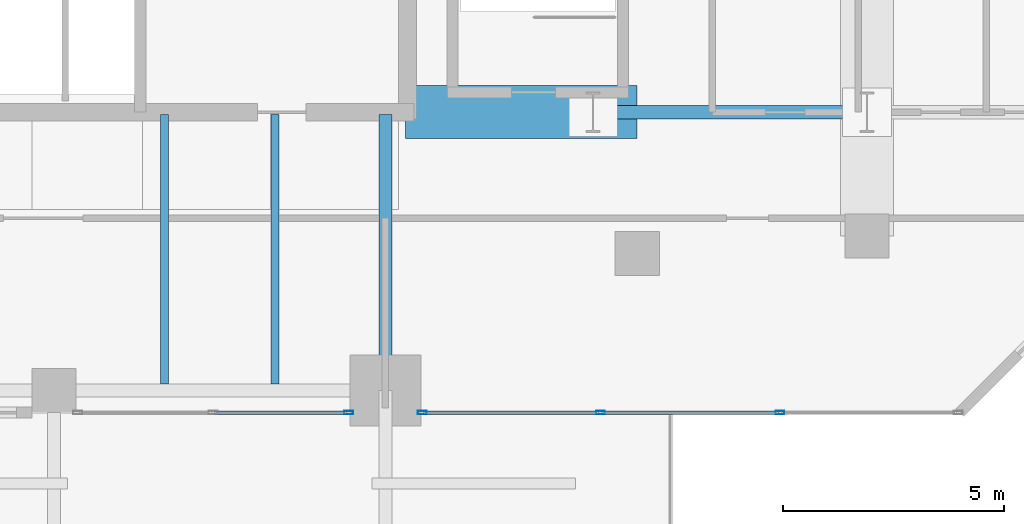
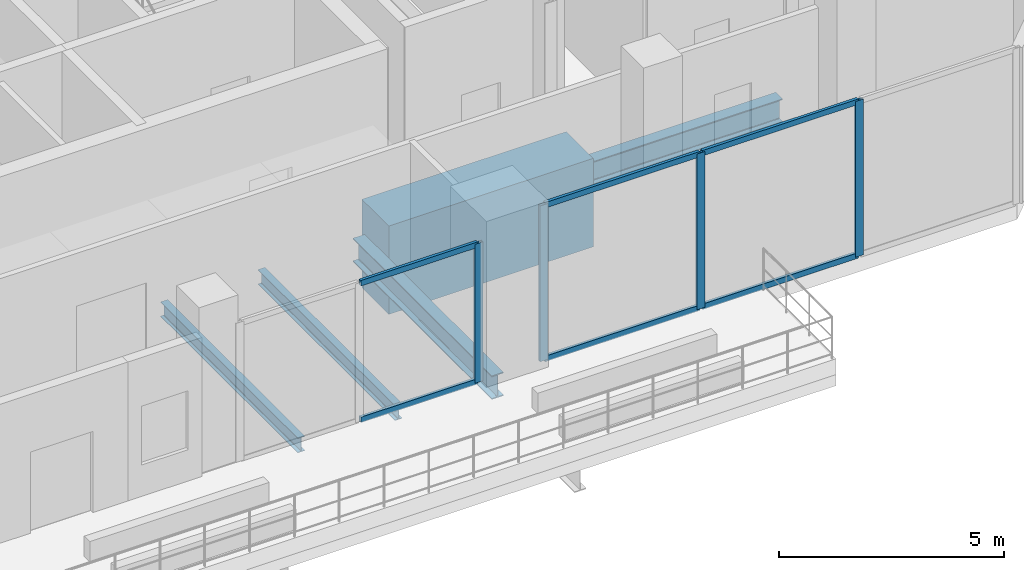
# One storey, part 11 of 24: 10 members, 5 beams, 2 elements without a shape of their own.
"""IFC4 building model written with IfcOpenShell, lengths in metres."""

from ifc_helpers import new_model, si_unit, direction, frame, origin, origin_2d, place, context, subcontext, project, spatial, rectangle, hollow_rectangle, i_section, extrude, material, layer, layer_set, material_profile, profile_set, type_object, element, aggregate, save


model = new_model("IFC4")

# Units and contexts
model_context = context("Model", 3, precision=1e-05, world=origin(), true_north=direction((0.0, 1.0)))
body_context = subcontext(model_context, "Body", "Model", "MODEL_VIEW")
ifc_project = project(units=[si_unit("LENGTHUNIT", "METRE"), si_unit("AREAUNIT", "SQUARE_METRE"), si_unit("VOLUMEUNIT", "CUBIC_METRE"), si_unit("PLANEANGLEUNIT", "RADIAN"), si_unit("MASSUNIT", "GRAM", prefix="KILO")], contexts=[model_context])

# Site, building, storey
site_placement = place(None, origin())
site = spatial("IfcSite", under=ifc_project, at=site_placement, CompositionType="ELEMENT")
building_placement = place(site_placement, origin())
building = spatial("IfcBuilding", under=site, at=building_placement, Name="Catumbela Crestline Tower", CompositionType="ELEMENT")
storey_placement = place(building_placement, frame((0.0, 0.0, 21.3)))
storey = spatial("IfcBuildingStorey", under=building, at=storey_placement, Name="L04", CompositionType="ELEMENT", Elevation=21.3)

# Beams
ifc_material_1 = material(Name="Structural steel S355J2", Category="steel")
ifc_material_profile_1 = material_profile(ifc_material_1, i_section(OverallWidth=0.3, OverallDepth=0.64, WebThickness=0.0135, FlangeThickness=0.026, FilletRadius=0.027, at=origin_2d()), Name="HEA 650")
ifc_profile_set_1 = profile_set([ifc_material_profile_1], Name="Structural steel S355J2")
beam_type_1 = type_object("IfcBeamType", Name="BG-HEA650", PredefinedType="BEAM", material=ifc_profile_set_1)
beam_1_placement = place(storey_placement, frame((44.28, 30.8, -0.77), z_axis=(1.0, 0.0, 0.0), x_axis=(0.0, 1.0, 0.0)))
element("IfcBeam", 1, at=beam_1_placement, inside=storey, type_object=beam_type_1, Name="L04 Beam BM-L04-M10", PredefinedType="BEAM", context=body_context, shape_type="SweptSolid", body=[
    extrude(i_section(OverallWidth=0.3, OverallDepth=0.64, WebThickness=0.0135, FlangeThickness=0.026, FilletRadius=0.027, at=origin_2d()), origin(), (0.0, 0.0, 1.0), 6.04),
])
beam_2_placement = place(storey_placement, frame((39.5, 24.58, -0.77), z_axis=(0.0, 1.0, 0.0), x_axis=(-1.0, 0.0, 0.0)))
element("IfcBeam", 2, at=beam_2_placement, inside=storey, type_object=beam_type_1, Name="L04 Beam BM-L04-SNS33", PredefinedType="BEAM", context=body_context, shape_type="SweptSolid", body=[
    extrude(i_section(OverallWidth=0.3, OverallDepth=0.64, WebThickness=0.0135, FlangeThickness=0.026, FilletRadius=0.027, at=origin_2d()), origin(), (0.0, 0.0, 1.0), 6.17),
])
ifc_material_2 = material(Name="Concrete C60/75", Category="concrete")
ifc_material_profile_2 = material_profile(ifc_material_2, rectangle(XDim=1.2, YDim=2.4, at=origin_2d()), Name="RC 1200x2400")
ifc_profile_set_2 = profile_set([ifc_material_profile_2], Name="Concrete C60/75")
beam_type_2 = type_object("IfcBeamType", Name="TG-2400", PredefinedType="BEAM", material=ifc_profile_set_2)
beam_3_placement = place(storey_placement, frame((39.95, 30.8, -1.2), z_axis=(1.0, 0.0, 0.0), x_axis=(0.0, 1.0, 0.0)))
element("IfcBeam", 3, at=beam_3_placement, inside=storey, type_object=beam_type_2, Name="L04 Transfer Girder TG-L04-ES1A", PredefinedType="BEAM", context=body_context, shape_type="SweptSolid", body=[
    extrude(rectangle(XDim=1.2, YDim=2.4, at=origin_2d()), origin(), (0.0, 0.0, 1.0), 5.25),
])
ifc_material_profile_3 = material_profile(ifc_material_1, i_section(OverallWidth=0.18, OverallDepth=0.4, WebThickness=0.0086, FlangeThickness=0.0135, FilletRadius=0.021, at=origin_2d()), Name="IPE 400")
ifc_profile_set_3 = profile_set([ifc_material_profile_3], Name="Structural steel S355J2")
beam_type_3 = type_object("IfcBeamType", Name="BJ-IPE400", PredefinedType="JOIST", material=ifc_profile_set_3)
for number, where, z_axis, x_axis, name in (
    (4, (34.5, 24.647, -0.65), (0.0, 1.0, 0.0), (-1.0, 0.0, 0.0), "L04 Joist JS-L04-SP41"),
    (5, (37.0, 24.647, -0.65), (0.0, 1.0, 0.0), (-1.0, 0.0, 0.0), "L04 Joist JS-L04-SP42"),
):
    element("IfcBeam", number, at=place(storey_placement, frame(where, z_axis=z_axis, x_axis=x_axis)), inside=storey, type_object=beam_type_3, Name=name, PredefinedType="JOIST", context=body_context, shape_type="SweptSolid", body=[
        extrude(i_section(OverallWidth=0.18, OverallDepth=0.4, WebThickness=0.0086, FlangeThickness=0.0135, FilletRadius=0.021, at=origin_2d()), origin(), (0.0, 0.0, 1.0), 6.103),
    ])

# Curtain wall, member
ifc_material_3 = material(Name="Aluminium alloy AW-6060-T66", Category="aluminium")
ifc_layer = layer(ifc_material_3, 0.18, Name="Aluminium alloy AW-6060-T66")
ifc_layer_set = layer_set([ifc_layer], Name="Aluminium alloy AW-6060-T66")
curtain_wall_type = type_object("IfcCurtainWallType", Name="CWS-POD", PredefinedType="USERDEFINED", material=ifc_layer_set)
curtain_wall_1_placement = place(storey_placement, origin())
curtain_wall_1 = element("IfcCurtainWall", 6, at=curtain_wall_1_placement, inside=storey, type_object=curtain_wall_type, Name="L04 Stick Curtain Wall CW-L04-E3S3", ObjectType="STICK", PredefinedType="USERDEFINED")
ifc_material_profile_4 = material_profile(ifc_material_3, hollow_rectangle(XDim=0.075, YDim=0.2, WallThickness=0.005, at=origin_2d()), Name="ALU 200x75x5")
ifc_profile_set_4 = profile_set([ifc_material_profile_4], Name="Aluminium alloy AW-6060-T66")
member_type_1 = type_object("IfcMemberType", Name="MUL-200X75", PredefinedType="MULLION", material=ifc_profile_set_4)
member_1_placement = place(storey_placement, frame((38.6675, 24.0, 0.0), z_axis=(0.0, 0.0, 1.0), x_axis=(0.0, 1.0, 0.0)))
member_1 = element("IfcMember", 7, at=member_1_placement, type_object=member_type_1, Name="CWS-POD mullion 3", PredefinedType="MULLION", context=body_context, shape_type="SweptSolid", body=[
    extrude(hollow_rectangle(XDim=0.075, YDim=0.2, WallThickness=0.005, at=origin_2d()), origin(), (0.0, 0.0, 1.0), 3.77),
])

# Curtain wall, members
curtain_wall_2_placement = place(storey_placement, origin())
curtain_wall_2 = element("IfcCurtainWall", 8, at=curtain_wall_2_placement, inside=storey, type_object=curtain_wall_type, Name="L04 Stick Curtain Wall CW-L04-E3S4", ObjectType="STICK", PredefinedType="USERDEFINED")
member_2_placement = place(storey_placement, frame((40.3325, 24.0, 0.0), z_axis=(0.0, 0.0, 1.0), x_axis=(0.0, 1.0, 0.0)))
member_2 = element("IfcMember", 9, at=member_2_placement, type_object=member_type_1, Name="CWS-POD mullion 1", PredefinedType="MULLION", context=body_context, shape_type="SweptSolid", body=[
    extrude(hollow_rectangle(XDim=0.075, YDim=0.2, WallThickness=0.005, at=origin_2d()), origin(), (0.0, 0.0, 1.0), 4.23),
])
member_3_placement = place(storey_placement, frame((44.3667, 24.0, 0.0), z_axis=(0.0, 0.0, 1.0), x_axis=(0.0, 1.0, 0.0)))
member_3 = element("IfcMember", 10, at=member_3_placement, type_object=member_type_1, Name="CWS-POD mullion 2", PredefinedType="MULLION", context=body_context, shape_type="SweptSolid", body=[
    extrude(hollow_rectangle(XDim=0.075, YDim=0.2, WallThickness=0.005, at=origin_2d()), origin(), (0.0, 0.0, 1.0), 4.23),
])
member_4_placement = place(storey_placement, frame((48.4333, 24.0, 0.0), z_axis=(0.0, 0.0, 1.0), x_axis=(0.0, 1.0, 0.0)))
member_4 = element("IfcMember", 11, at=member_4_placement, type_object=member_type_1, Name="CWS-POD mullion 3", PredefinedType="MULLION", context=body_context, shape_type="SweptSolid", body=[
    extrude(hollow_rectangle(XDim=0.075, YDim=0.2, WallThickness=0.005, at=origin_2d()), origin(), (0.0, 0.0, 1.0), 4.23),
])

# Member
ifc_material_profile_5 = material_profile(ifc_material_3, hollow_rectangle(XDim=0.075, YDim=0.15, WallThickness=0.0045, at=origin_2d()), Name="ALU 150x75x4.5")
ifc_profile_set_5 = profile_set([ifc_material_profile_5], Name="Aluminium alloy AW-6060-T66")
member_type_2 = type_object("IfcMemberType", Name="TRN-150X75", PredefinedType="USERDEFINED", material=ifc_profile_set_5)
member_5_placement = place(storey_placement, frame((35.6325, 24.0, 0.03), z_axis=(1.0, 0.0, 0.0), x_axis=(0.0, 1.0, 0.0)))
member_5 = element("IfcMember", 12, at=member_5_placement, type_object=member_type_2, Name="CWS-POD transom 2.1", ObjectType="TRANSOM", PredefinedType="USERDEFINED", context=body_context, shape_type="SweptSolid", body=[
    extrude(hollow_rectangle(XDim=0.075, YDim=0.15, WallThickness=0.0045, at=origin_2d()), origin(), (0.0, 0.0, 1.0), 3.0025),
])

member_6_placement = place(storey_placement, frame((35.6325, 24.0, 3.74), z_axis=(1.0, 0.0, 0.0), x_axis=(0.0, 1.0, 0.0)))
member_6 = element("IfcMember", 13, at=member_6_placement, type_object=member_type_2, Name="CWS-POD transom 2.2", ObjectType="TRANSOM", PredefinedType="USERDEFINED", context=body_context, shape_type="SweptSolid", body=[
    extrude(hollow_rectangle(XDim=0.075, YDim=0.15, WallThickness=0.0045, at=origin_2d()), origin(), (0.0, 0.0, 1.0), 3.0025),
])

aggregate(curtain_wall_1, [member_1, member_5, member_6])

member_7_placement = place(storey_placement, frame((40.365, 24.0, 0.03), z_axis=(1.0, 0.0, 0.0), x_axis=(0.0, 1.0, 0.0)))
member_7 = element("IfcMember", 14, at=member_7_placement, type_object=member_type_2, Name="CWS-POD transom 1.1", ObjectType="TRANSOM", PredefinedType="USERDEFINED", context=body_context, shape_type="SweptSolid", body=[
    extrude(hollow_rectangle(XDim=0.075, YDim=0.15, WallThickness=0.0045, at=origin_2d()), origin(), (0.0, 0.0, 1.0), 3.9692),
])

member_8_placement = place(storey_placement, frame((40.365, 24.0, 4.2), z_axis=(1.0, 0.0, 0.0), x_axis=(0.0, 1.0, 0.0)))
member_8 = element("IfcMember", 15, at=member_8_placement, type_object=member_type_2, Name="CWS-POD transom 1.2", ObjectType="TRANSOM", PredefinedType="USERDEFINED", context=body_context, shape_type="SweptSolid", body=[
    extrude(hollow_rectangle(XDim=0.075, YDim=0.15, WallThickness=0.0045, at=origin_2d()), origin(), (0.0, 0.0, 1.0), 3.9692),
])

member_9_placement = place(storey_placement, frame((44.3992, 24.0, 0.03), z_axis=(1.0, 0.0, 0.0), x_axis=(0.0, 1.0, 0.0)))
member_9 = element("IfcMember", 16, at=member_9_placement, type_object=member_type_2, Name="CWS-POD transom 2.1", ObjectType="TRANSOM", PredefinedType="USERDEFINED", context=body_context, shape_type="SweptSolid", body=[
    extrude(hollow_rectangle(XDim=0.075, YDim=0.15, WallThickness=0.0045, at=origin_2d()), origin(), (0.0, 0.0, 1.0), 4.0016),
])

member_10_placement = place(storey_placement, frame((44.3992, 24.0, 4.2), z_axis=(1.0, 0.0, 0.0), x_axis=(0.0, 1.0, 0.0)))
member_10 = element("IfcMember", 17, at=member_10_placement, type_object=member_type_2, Name="CWS-POD transom 2.2", ObjectType="TRANSOM", PredefinedType="USERDEFINED", context=body_context, shape_type="SweptSolid", body=[
    extrude(hollow_rectangle(XDim=0.075, YDim=0.15, WallThickness=0.0045, at=origin_2d()), origin(), (0.0, 0.0, 1.0), 4.0016),
])

aggregate(curtain_wall_2, [member_2, member_3, member_4, member_7, member_8, member_9, member_10])

save(model, "model.ifc")
